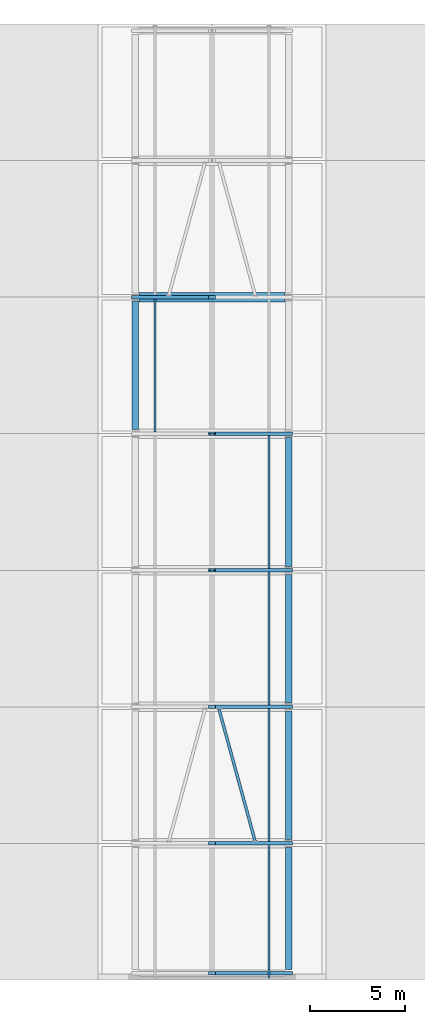
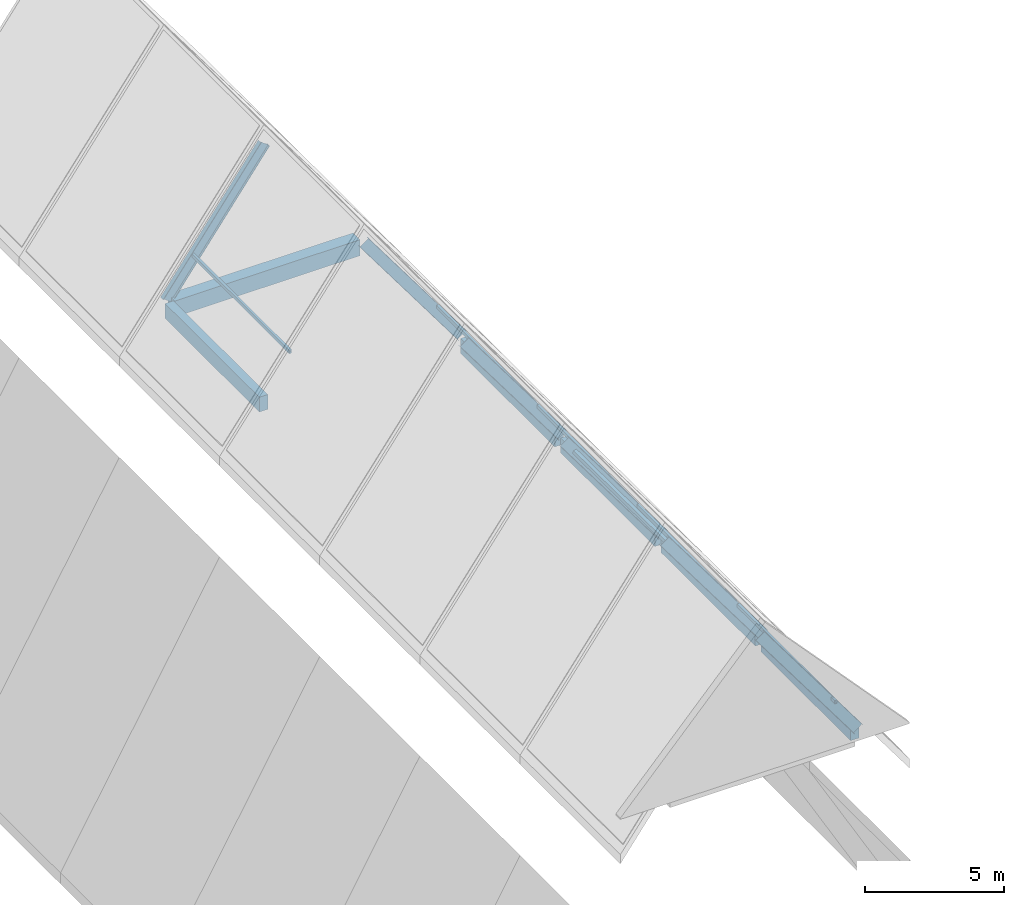
# One storey, part 6 of 29: 12 members, 6 beams.
"""IFC4 building model written with IfcOpenShell, lengths in metres."""

import ifcopenshell
import ifcopenshell.guid

model = None  # the IFC model being written
_history = None  # IfcOwnerHistory: only IFC2X3 demands one
_inside = {}  # id of a spatial element -> (the spatial element, [elements in it])
_under = {}  # id of a project, library or spatial element -> (it, [spatial elements below it])
_declared = {}  # id of a project -> (the project, [libraries it declares])
_typed = {}  # id of a type object -> (the type object, [elements of that type])
_made_of = {}  # id of a material, layer set ... -> (it, [elements and type objects made of it])


def new_model(schema):
    """Start an empty IFC model of exactly this schema.

    Asked for "IFC4X3", IfcOpenShell would pick the latest addendum, in which some entities
    have other attributes; the version numbers below select the first issue.
    IFC2X3 requires an IfcOwnerHistory on every rooted entity: one is made here for all.
    """
    global model, _history
    if schema == "IFC4X3":
        model = ifcopenshell.file(schema_version=(4, 3, 0, 0))
    else:
        model = ifcopenshell.file(schema=schema)
    _inside.clear()
    _under.clear()
    _declared.clear()
    _typed.clear()
    _made_of.clear()
    _history = None
    if model.schema == "IFC2X3":
        org = make("IfcOrganization", Name="unknown")
        user = make(
            "IfcPersonAndOrganization",
            ThePerson=make("IfcPerson", FamilyName="unknown"),
            TheOrganization=org,
        )
        app = make(
            "IfcApplication",
            ApplicationDeveloper=org,
            Version="unknown",
            ApplicationFullName="unknown",
            ApplicationIdentifier="unknown",
        )
        _history = make(
            "IfcOwnerHistory",
            OwningUser=user,
            OwningApplication=app,
            ChangeAction="ADDED",
            CreationDate=0,
        )
    return model


def make(cls, **values):
    """One entity of the class cls with the attributes given. An attribute that is None is left unset."""
    return model.create_entity(
        cls, **{name: value for name, value in values.items() if value is not None}
    )


def rooted(cls, **values):
    """An entity with a GlobalId (a new one), such as an element, a storey or a relation."""
    return make(cls, GlobalId=ifcopenshell.guid.new(), OwnerHistory=_history, **values)


def si_unit(unit_type, name, prefix=None):
    """IfcSIUnit, for example si_unit("LENGTHUNIT", "METRE", prefix="MILLI")."""
    return make("IfcSIUnit", UnitType=unit_type, Prefix=prefix, Name=name)


def derived_unit(unit_type, elements):
    """IfcDerivedUnit: a product of units, each with its exponent."""
    return make(
        "IfcDerivedUnit",
        Elements=[
            make("IfcDerivedUnitElement", Unit=unit, Exponent=power)
            for unit, power in elements
        ],
        UnitType=unit_type,
    )


def assignment(units):
    """IfcUnitAssignment: the units of a project."""
    return None if units is None else make("IfcUnitAssignment", Units=units)


def point(xyz):
    """IfcCartesianPoint."""
    return None if xyz is None else make("IfcCartesianPoint", Coordinates=xyz)


def direction(xyz):
    """IfcDirection."""
    return None if xyz is None else make("IfcDirection", DirectionRatios=xyz)


def frame(location, z_axis=None, x_axis=None):
    """IfcAxis2Placement3D, a coordinate frame: its origin and axes. An axis left out is left unset."""
    return make(
        "IfcAxis2Placement3D",
        Location=point(location),
        Axis=direction(z_axis),
        RefDirection=direction(x_axis),
    )


def frame_2d(location, x_axis=None):
    """IfcAxis2Placement2D, a coordinate frame in the plane: its origin and x axis."""
    return make(
        "IfcAxis2Placement2D", Location=point(location), RefDirection=direction(x_axis)
    )


def origin():
    """The frame at (0, 0, 0) with its axes left unset."""
    return frame((0.0, 0.0, 0.0))


def origin_2d():
    """The frame at (0, 0) in the plane with its x axis left unset."""
    return frame_2d((0.0, 0.0))


def place(relative_to, where):
    """IfcLocalPlacement: puts the frame where relative to a parent placement (None: the world)."""
    return make(
        "IfcLocalPlacement", PlacementRelTo=relative_to, RelativePlacement=where
    )


def context(
    kind, dimensions, precision=None, world=None, true_north=None, identifier=None
):
    """IfcGeometricRepresentationContext, for example the 3D "Model" context."""
    return make(
        "IfcGeometricRepresentationContext",
        ContextIdentifier=identifier,
        ContextType=kind,
        CoordinateSpaceDimension=dimensions,
        Precision=precision,
        WorldCoordinateSystem=world,
        TrueNorth=true_north,
    )


def subcontext(parent, identifier, kind, view, scale=None):
    """IfcGeometricRepresentationSubContext, for example "Body" below "Model"."""
    return make(
        "IfcGeometricRepresentationSubContext",
        ContextIdentifier=identifier,
        ContextType=kind,
        ParentContext=parent,
        TargetScale=scale,
        TargetView=view,
    )


def project(units=None, contexts=None):
    """IfcProject with its units and contexts."""
    return rooted(
        "IfcProject",
        Name="project",
        RepresentationContexts=contexts,
        UnitsInContext=assignment(units),
    )


def spatial(cls, under=None, at=None, **own):
    """A site, building, storey or space (cls), placed at a placement, below another one or the project."""
    s = rooted(cls, ObjectPlacement=at, **own)
    if under is not None:
        _under.setdefault(under.id(), (under, []))[1].append(s)
    return s


def profile(cls, at=None, kind="AREA", **sizes):
    """A parametric profile (cls). Its sizes go by their IFC names, for example OverallWidth=200.0."""
    return make(cls, ProfileType=kind, Position=at, **sizes)


def rectangle(**sizes):
    """IfcRectangleProfileDef."""
    return profile("IfcRectangleProfileDef", **sizes)


def hollow_rectangle(**sizes):
    """IfcRectangleHollowProfileDef."""
    return profile("IfcRectangleHollowProfileDef", **sizes)


def i_section(**sizes):
    """IfcIShapeProfileDef."""
    return profile("IfcIShapeProfileDef", **sizes)


def extrude(swept, where, along, depth):
    """IfcExtrudedAreaSolid: the profile swept, set in the frame where, extruded along a direction by depth."""
    return make(
        "IfcExtrudedAreaSolid",
        SweptArea=swept,
        Position=where,
        ExtrudedDirection=direction(along),
        Depth=depth,
    )


def shape(context_of_items, identifier, shape_type, items):
    """IfcShapeRepresentation: the items that make up one representation, for example the "Body"."""
    return make(
        "IfcShapeRepresentation",
        ContextOfItems=context_of_items,
        RepresentationIdentifier=identifier,
        RepresentationType=shape_type,
        Items=items,
    )


def material(Name=None, Category=None):
    """IfcMaterial."""
    return make("IfcMaterial", Name=Name, Category=Category)


def material_profile(
    of_material, cross_section, Name=None, Category=None, Priority=None
):
    """IfcMaterialProfile: a cross section and its material."""
    return make(
        "IfcMaterialProfile",
        Name=Name,
        Material=of_material,
        Profile=cross_section,
        Priority=Priority,
        Category=Category,
    )


def profile_set(profiles, Name=None, composite=None):
    """IfcMaterialProfileSet."""
    return make(
        "IfcMaterialProfileSet",
        Name=Name,
        MaterialProfiles=profiles,
        CompositeProfile=composite,
    )


def made_of(thing, what):
    """Note that an element or type object is made of a material, layer set ...; save() writes the relation."""
    if what is not None:
        _made_of.setdefault(what.id(), (what, []))[1].append(thing)
    return thing


def type_object(cls, material=None, **own):
    """A type object (cls), such as IfcWallType, which elements share."""
    return made_of(rooted(cls, **own), material)


def element(
    cls,
    number,
    at=None,
    inside=None,
    cuts=None,
    type_object=None,
    material=None,
    context=None,
    identifier="Body",
    shape_type=None,
    held_by="IfcProductDefinitionShape",
    body=None,
    shapes=None,
    **own,
):
    """One element of the class cls, such as IfcWall. Its Tag is "e" and its number.

    at: its placement. inside: the storey or other place that contains it. cuts: it is an
    opening in that element (IfcRelVoidsElement). A single representation is given by context,
    identifier, shape_type and body (its items); several are given by shapes. held_by: the class
    of the entity that holds the representations. save() writes the other relations.
    """
    e = rooted(cls, Tag="e%d" % number, ObjectPlacement=at, **own)
    if body is not None:
        shapes = [shape(context, identifier, shape_type, body)]
    if shapes is not None:
        e.Representation = make(held_by, Representations=shapes)
    if inside is not None:
        _inside.setdefault(inside.id(), (inside, []))[1].append(e)
    if cuts is not None:
        rooted(
            "IfcRelVoidsElement", RelatingBuildingElement=cuts, RelatedOpeningElement=e
        )
    if type_object is not None:
        _typed.setdefault(type_object.id(), (type_object, []))[1].append(e)
    return made_of(e, material)


def aggregate(whole, parts):
    """IfcRelAggregates: a whole, such as a stair, and the parts it consists of."""
    return rooted("IfcRelAggregates", RelatingObject=whole, RelatedObjects=parts)


def save(model, path):
    """Write the relations noted so far, then the file.

    IfcRelAggregates (storeys below a building ...), IfcRelContainedInSpatialStructure (elements
    in a storey), IfcRelDefinesByType, IfcRelAssociatesMaterial and IfcRelDeclares: one each for
    every whole, place, type object, material and project.
    """
    for whole, parts in _under.values():
        aggregate(whole, parts)
    for where, things in _inside.values():
        rooted(
            "IfcRelContainedInSpatialStructure",
            RelatedElements=things,
            RelatingStructure=where,
        )
    for kind, things in _typed.values():
        rooted("IfcRelDefinesByType", RelatedObjects=things, RelatingType=kind)
    for what, things in _made_of.values():
        rooted("IfcRelAssociatesMaterial", RelatedObjects=things, RelatingMaterial=what)
    for by, libraries in _declared.values():
        rooted("IfcRelDeclares", RelatingContext=by, RelatedDefinitions=libraries)
    model.write(path)


model = new_model("IFC4")

# Units and contexts
model_context = context("Model", 3, precision=1e-05, world=origin(), true_north=direction((0.0, 1.0)))
body_context = subcontext(model_context, "Body", "Model", "MODEL_VIEW")
ifc_project = project(units=[si_unit("LENGTHUNIT", "METRE"), si_unit("AREAUNIT", "SQUARE_METRE"), si_unit("VOLUMEUNIT", "CUBIC_METRE"), si_unit("PLANEANGLEUNIT", "RADIAN"), si_unit("MASSUNIT", "GRAM", prefix="KILO"), derived_unit("THERMALTRANSMITTANCEUNIT", [(si_unit("MASSUNIT", "GRAM", prefix="KILO"), 1), (si_unit("TIMEUNIT", "SECOND"), -3), (si_unit("THERMODYNAMICTEMPERATUREUNIT", "KELVIN"), -1)])], contexts=[model_context])

# Site, building, storey
site_placement = place(None, origin())
site = spatial("IfcSite", under=ifc_project, at=site_placement, CompositionType="ELEMENT")
building_placement = place(site_placement, origin())
building = spatial("IfcBuilding", under=site, at=building_placement, Name="Ochrekiln Boulevard Commons", CompositionType="ELEMENT")
storey_placement = place(building_placement, frame((0.0, 0.0, 37.27490234375)))
storey = spatial("IfcBuildingStorey", under=building, at=storey_placement, Name="L11", CompositionType="ELEMENT", Elevation=37.27490234375)

# Beam
ifc_material_1 = material(Name="Concrete C40/50", Category="concrete")
ifc_material_profile_1 = material_profile(ifc_material_1, rectangle(XDim=0.5, YDim=0.699951171875, at=origin_2d()), Name="RC-BM-500x700")
ifc_profile_set_1 = profile_set([ifc_material_profile_1], Name="Concrete C40/50")
beam_type_1 = type_object("IfcBeamType", Name="BM-RC-500x700", PredefinedType="BEAM", material=ifc_profile_set_1)
beam_1_placement = place(storey_placement, frame((156.360107421875, 36.0, -0.64990234375), z_axis=(1.0, 0.0, 0.0), x_axis=(0.0, 1.0, 0.0)))
element("IfcBeam", 1, at=beam_1_placement, inside=storey, type_object=beam_type_1, Name="Block C L11 Beam B-5070 X6", PredefinedType="BEAM", context=body_context, shape_type="SweptSolid", body=[
    extrude(rectangle(XDim=0.5, YDim=0.699951171875, at=origin_2d()), origin(), (0.0, 0.0, 1.0), 7.679931640625),
])

# Members
ifc_material_2 = material(Name="Steel A500 Grade C", Category="steel")
ifc_material_profile_2 = material_profile(ifc_material_2, hollow_rectangle(XDim=0.14990234375, YDim=0.14990234375, WallThickness=0.009521484375, at=origin_2d()), Name="HSS150X150X9.5")
ifc_profile_set_2 = profile_set([ifc_material_profile_2], Name="Steel A500 Grade C")
member_type_1 = type_object("IfcMemberType", Name="MEM-BRC-HSS150", PredefinedType="BRACE", material=ifc_profile_set_2)
member_placement = place(storey_placement, frame((162.47998046875, 7.2900390625, 2.054931640625), z_axis=(-0.24851311751, 0.908665587598, 0.335511669456), x_axis=(-0.964576236245, -0.263804254081, 0.0)))
element("IfcMember", 2, at=member_placement, inside=storey, type_object=member_type_1, Name="Block C Roof Diagonal Brace 2E", PredefinedType="BRACE", context=body_context, shape_type="SweptSolid", body=[
    extrude(hollow_rectangle(XDim=0.14990234375, YDim=0.14990234375, WallThickness=0.009521484375, at=origin_2d()), origin(), (0.0, 0.0, 1.0), 7.7255859375),
])
ifc_material_profile_3 = material_profile(ifc_material_2, hollow_rectangle(XDim=0.10009765625, YDim=0.14990234375, WallThickness=0.00634765625, at=origin_2d()), Name="HSS150X100X6.4")
ifc_profile_set_3 = profile_set([ifc_material_profile_3], Name="Steel A500 Grade C")
member_type_2 = type_object("IfcMemberType", Name="MEM-PUR-HSS150X100", PredefinedType="PURLIN", material=ifc_profile_set_3)
for number, where, z_axis, x_axis, name in (
    (3, (163.199951171875, 0.10009765625, 1.3408203125), (0.0, 1.0, 0.0), (-1.0, 0.0, 0.0), "Block C Roof Purlin 1E.1"),
    (4, (163.199951171875, 7.300048828125, 1.3408203125), (0.0, 1.0, 0.0), (-1.0, 0.0, 0.0), "Block C Roof Purlin 2E.1"),
    (5, (163.199951171875, 14.5, 1.3408203125), (0.0, 1.0, 0.0), (-1.0, 0.0, 0.0), "Block C Roof Purlin 3E.1"),
    (6, (163.199951171875, 21.699951171875, 1.3408203125), (0.0, 1.0, 0.0), (-1.0, 0.0, 0.0), "Block C Roof Purlin 4E.1"),
    (7, (157.199951171875, 28.89990234375, 1.3408203125), (0.0, 1.0, 0.0), (-1.0, 0.0, 0.0), "Block C Roof Purlin 5W.1"),
):
    element("IfcMember", number, at=place(storey_placement, frame(where, z_axis=z_axis, x_axis=x_axis)), inside=storey, type_object=member_type_2, Name=name, PredefinedType="PURLIN", context=body_context, shape_type="SweptSolid", body=[
        extrude(hollow_rectangle(XDim=0.10009765625, YDim=0.14990234375, WallThickness=0.00634765625, at=origin_2d()), origin(), (0.0, 0.0, 1.0), 7.0),
    ])
ifc_material_3 = material(Name="Steel A992 Grade 50", Category="steel")
ifc_material_profile_4 = material_profile(ifc_material_3, i_section(OverallWidth=0.19091796875, OverallDepth=0.45703125, WebThickness=0.009033203125, FlangeThickness=0.014404296875, at=origin_2d()), Name="W18X50")
ifc_profile_set_4 = profile_set([ifc_material_profile_4], Name="Steel A992 Grade 50")
member_type_3 = type_object("IfcMemberType", Name="MEM-RAF-W18X50", PredefinedType="RAFTER", material=ifc_profile_set_4)
for number, where, z_axis, x_axis, name in (
    (8, (164.25, 0.35009765625, -0.33447265625), (-0.595230124903, 0.0, 0.803555286467), (0.0, -1.0, 0.0), "Block C Steep Gable Rafter 1E"),
    (9, (164.25, 7.199951171875, -0.33447265625), (-0.595230124903, 0.0, 0.803555286467), (0.0, -1.0, 0.0), "Block C Steep Gable Rafter 2E"),
    (10, (164.25, 14.39990234375, -0.33447265625), (-0.595230124903, 0.0, 0.803555286467), (0.0, -1.0, 0.0), "Block C Steep Gable Rafter 3E"),
    (11, (164.25, 21.60009765625, -0.33447265625), (-0.595230124903, 0.0, 0.803555286467), (0.0, -1.0, 0.0), "Block C Steep Gable Rafter 4E"),
    (12, (164.25, 28.800048828125, -0.33447265625), (-0.595230124903, 0.0, 0.803555286467), (0.0, -1.0, 0.0), "Block C Steep Gable Rafter 5E"),
    (13, (156.14990234375, 36.0, -0.33447265625), (0.595230124903, 0.0, 0.803555286467), (0.0, 1.0, 0.0), "Block C Steep Gable Rafter 6W"),
):
    element("IfcMember", number, at=place(storey_placement, frame(where, z_axis=z_axis, x_axis=x_axis)), inside=storey, type_object=member_type_3, Name=name, PredefinedType="RAFTER", context=body_context, shape_type="SweptSolid", body=[
        extrude(i_section(OverallWidth=0.19091796875, OverallDepth=0.45703125, WebThickness=0.009033203125, FlangeThickness=0.014404296875, at=origin_2d()), origin(), (0.0, 0.0, 1.0), 6.80419921875),
    ])

# Beams
ifc_material_profile_5 = material_profile(ifc_material_1, rectangle(XDim=0.35009765625, YDim=0.64990234375, at=origin_2d()), Name="RC-SPN-350x650")
ifc_profile_set_5 = profile_set([ifc_material_profile_5], Name="Concrete C40/50")
beam_type_2 = type_object("IfcBeamType", Name="SPN-RC-350x650", PredefinedType="SPANDREL", material=ifc_profile_set_5)
beam_2_placement = place(storey_placement, frame((156.14990234375, 29.010009765625, -0.625), z_axis=(0.0, 1.0, 0.0), x_axis=(-1.0, 0.0, 0.0)))
element("IfcBeam", 14, at=beam_2_placement, inside=storey, type_object=beam_type_2, Name="Block C L11 Beam SP-3565 Y13", PredefinedType="SPANDREL", context=body_context, shape_type="SweptSolid", body=[
    extrude(rectangle(XDim=0.35009765625, YDim=0.64990234375, at=origin_2d()), origin(), (0.0, 0.0, 1.0), 6.780029296875),
])
beam_3_placement = place(storey_placement, frame((164.25, 0.56005859375, -0.625), z_axis=(0.0, 1.0, 0.0), x_axis=(-1.0, 0.0, 0.0)))
element("IfcBeam", 15, at=beam_3_placement, inside=storey, type_object=beam_type_2, Name="Block C L11 Beam SP-3565 Y16", PredefinedType="SPANDREL", context=body_context, shape_type="SweptSolid", body=[
    extrude(rectangle(XDim=0.35009765625, YDim=0.64990234375, at=origin_2d()), origin(), (0.0, 0.0, 1.0), 6.429931640625),
])
beam_4_placement = place(storey_placement, frame((164.25, 7.409912109375, -0.625), z_axis=(0.0, 1.0, 0.0), x_axis=(-1.0, 0.0, 0.0)))
element("IfcBeam", 16, at=beam_4_placement, inside=storey, type_object=beam_type_2, Name="Block C L11 Beam SP-3565 Y17", PredefinedType="SPANDREL", context=body_context, shape_type="SweptSolid", body=[
    extrude(rectangle(XDim=0.35009765625, YDim=0.64990234375, at=origin_2d()), origin(), (0.0, 0.0, 1.0), 6.780029296875),
])
beam_5_placement = place(storey_placement, frame((164.25, 14.610107421875, -0.625), z_axis=(0.0, 1.0, 0.0), x_axis=(-1.0, 0.0, 0.0)))
element("IfcBeam", 17, at=beam_5_placement, inside=storey, type_object=beam_type_2, Name="Block C L11 Beam SP-3565 Y18", PredefinedType="SPANDREL", context=body_context, shape_type="SweptSolid", body=[
    extrude(rectangle(XDim=0.35009765625, YDim=0.64990234375, at=origin_2d()), origin(), (0.0, 0.0, 1.0), 6.77978515625),
])
beam_6_placement = place(storey_placement, frame((164.25, 21.81005859375, -0.625), z_axis=(0.0, 1.0, 0.0), x_axis=(-1.0, 0.0, 0.0)))
element("IfcBeam", 18, at=beam_6_placement, inside=storey, type_object=beam_type_2, Name="Block C L11 Beam SP-3565 Y19", PredefinedType="SPANDREL", context=body_context, shape_type="SweptSolid", body=[
    extrude(rectangle(XDim=0.35009765625, YDim=0.64990234375, at=origin_2d()), origin(), (0.0, 0.0, 1.0), 6.780029296875),
])

save(model, "model.ifc")
